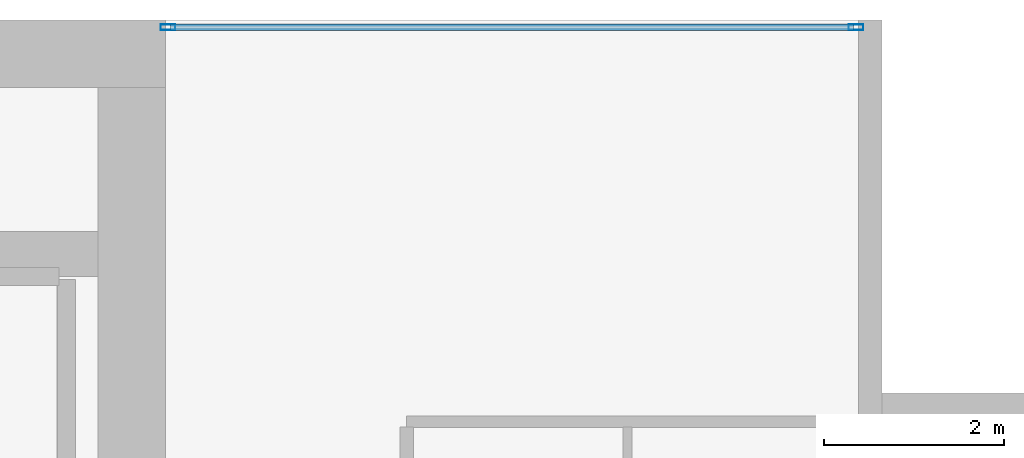
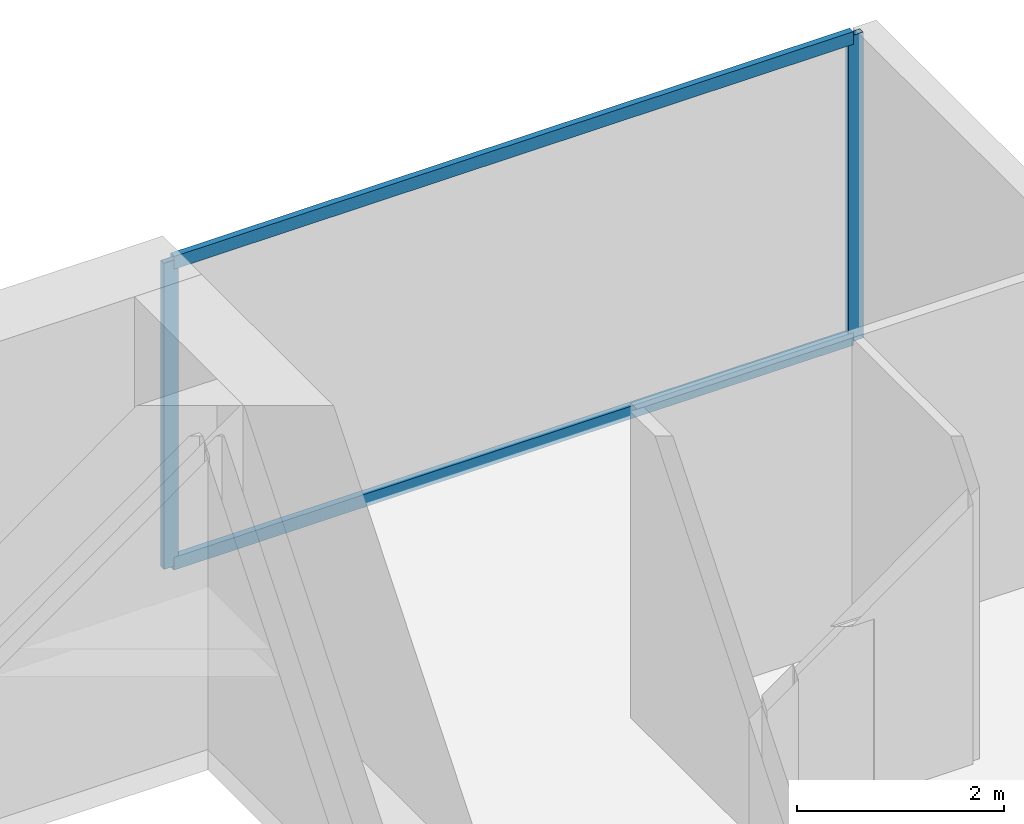
# One storey, part 25 of 32: 4 members, 1 element without a shape of its own.
"""IFC4 building model written with IfcOpenShell, lengths in metres."""

from ifc_helpers import new_model, si_unit, direction, frame, origin, origin_2d, place, context, subcontext, project, spatial, hollow_rectangle, extrude, material, layer, layer_set, material_profile, profile_set, type_object, element, aggregate, save


model = new_model("IFC4")

# Units and contexts
model_context = context("Model", 3, precision=1e-05, world=origin(), true_north=direction((0.0, 1.0)))
body_context = subcontext(model_context, "Body", "Model", "MODEL_VIEW")
ifc_project = project(units=[si_unit("LENGTHUNIT", "METRE"), si_unit("AREAUNIT", "SQUARE_METRE"), si_unit("VOLUMEUNIT", "CUBIC_METRE"), si_unit("PLANEANGLEUNIT", "RADIAN"), si_unit("MASSUNIT", "GRAM", prefix="KILO")], contexts=[model_context])

# Site, building, storey
site_placement = place(None, origin())
site = spatial("IfcSite", under=ifc_project, at=site_placement, CompositionType="ELEMENT")
building_placement = place(site_placement, origin())
building = spatial("IfcBuilding", under=site, at=building_placement, Name="Maruvema Waterfront Hotel and Observation Tower", CompositionType="ELEMENT")
storey_placement = place(building_placement, frame((0.0, 0.0, 165.89990234375)))
storey = spatial("IfcBuildingStorey", under=building, at=storey_placement, Name="L40", CompositionType="ELEMENT", Elevation=165.89990234375)

# Curtain wall, members
ifc_material_1 = material(Name="Anodised bronze aluminium and solar-control low-E IGU", Category="aluminium")
ifc_layer = layer(ifc_material_1, 0.159912109375, Name="Zone 2 Amber Inner Thermal Curtain Wall System CW-03")
ifc_layer_set = layer_set([ifc_layer], Name="Anodised bronze aluminium and solar-control low-E IGU")
curtain_wall_type = type_object("IfcCurtainWallType", Name="Zone 2 Amber Inner Thermal Curtain Wall System CW-03", PredefinedType="USERDEFINED", material=ifc_layer_set)
curtain_wall_placement = place(storey_placement, origin())
curtain_wall = element("IfcCurtainWall", 1, at=curtain_wall_placement, inside=storey, type_object=curtain_wall_type, Name="L40 Curtain Wall CW-L40-NE", ObjectType="UNITISED CURTAIN WALL", PredefinedType="USERDEFINED")
ifc_material_2 = material(Name="Anodised architectural bronze aluminium", Category="aluminium")
ifc_material_profile_1 = material_profile(ifc_material_2, hollow_rectangle(XDim=0.070068359375, YDim=0.14990234375, WallThickness=0.00390625, at=origin_2d()), Name="ALU-T70x150")
ifc_profile_set_1 = profile_set([ifc_material_profile_1], Name="Anodised architectural bronze aluminium")
member_type_1 = type_object("IfcMemberType", Name="Curtain Wall Horizontal Transom ALU-T70x150", PredefinedType="USERDEFINED", material=ifc_profile_set_1)
member_1_placement = place(storey_placement, frame((58.0400390625, 53.919921875, 0.030029296875), z_axis=(-1.0, 0.0, 0.0), x_axis=(0.0, -1.0, 0.0)))
member_1 = element("IfcMember", 2, at=member_1_placement, type_object=member_type_1, Name="CW-03 transom 1.1", ObjectType="TRANSOM", PredefinedType="USERDEFINED", context=body_context, shape_type="SweptSolid", body=[
    extrude(hollow_rectangle(XDim=0.070068359375, YDim=0.14990234375, WallThickness=0.00390625, at=origin_2d()), origin(), (0.0, 0.0, 1.0), 7.580078125),
])
member_2_placement = place(storey_placement, frame((58.0400390625, 53.919921875, 3.580078125), z_axis=(-1.0, 0.0, 0.0), x_axis=(0.0, -1.0, 0.0)))
member_2 = element("IfcMember", 3, at=member_2_placement, type_object=member_type_1, Name="CW-03 transom 1.2", ObjectType="TRANSOM", PredefinedType="USERDEFINED", context=body_context, shape_type="SweptSolid", body=[
    extrude(hollow_rectangle(XDim=0.070068359375, YDim=0.14990234375, WallThickness=0.00390625, at=origin_2d()), origin(), (0.0, 0.0, 1.0), 7.580078125),
])
ifc_material_3 = material(Name="Anodised architectural bronze aluminium", Category="aluminium")
ifc_material_profile_2 = material_profile(ifc_material_3, hollow_rectangle(XDim=0.06494140625, YDim=0.1650390625, WallThickness=0.00390625, at=origin_2d()), Name="ALU-M65x165")
ifc_profile_set_2 = profile_set([ifc_material_profile_2], Name="Anodised architectural bronze aluminium")
member_type_2 = type_object("IfcMemberType", Name="Curtain Wall Primary Mullion ALU-M65x165", PredefinedType="MULLION", material=ifc_profile_set_2)
member_3_placement = place(storey_placement, frame((58.070068359375, 53.919921875, 0.0), z_axis=(0.0, 0.0, 1.0), x_axis=(0.0, -1.0, 0.0)))
member_3 = element("IfcMember", 4, at=member_3_placement, type_object=member_type_2, Name="CW-03 mullion 1", PredefinedType="MULLION", context=body_context, shape_type="SweptSolid", body=[
    extrude(hollow_rectangle(XDim=0.06494140625, YDim=0.1650390625, WallThickness=0.00390625, at=origin_2d()), origin(), (0.0, 0.0, 1.0), 3.610107421875),
])
member_4_placement = place(storey_placement, frame((50.429931640625, 53.919921875, 0.0), z_axis=(0.0, 0.0, 1.0), x_axis=(0.0, -1.0, 0.0)))
member_4 = element("IfcMember", 5, at=member_4_placement, type_object=member_type_2, Name="CW-03 mullion 2", PredefinedType="MULLION", context=body_context, shape_type="SweptSolid", body=[
    extrude(hollow_rectangle(XDim=0.06494140625, YDim=0.1650390625, WallThickness=0.00390625, at=origin_2d()), origin(), (0.0, 0.0, 1.0), 3.610107421875),
])
aggregate(curtain_wall, [member_3, member_4, member_1, member_2])

save(model, "model.ifc")
